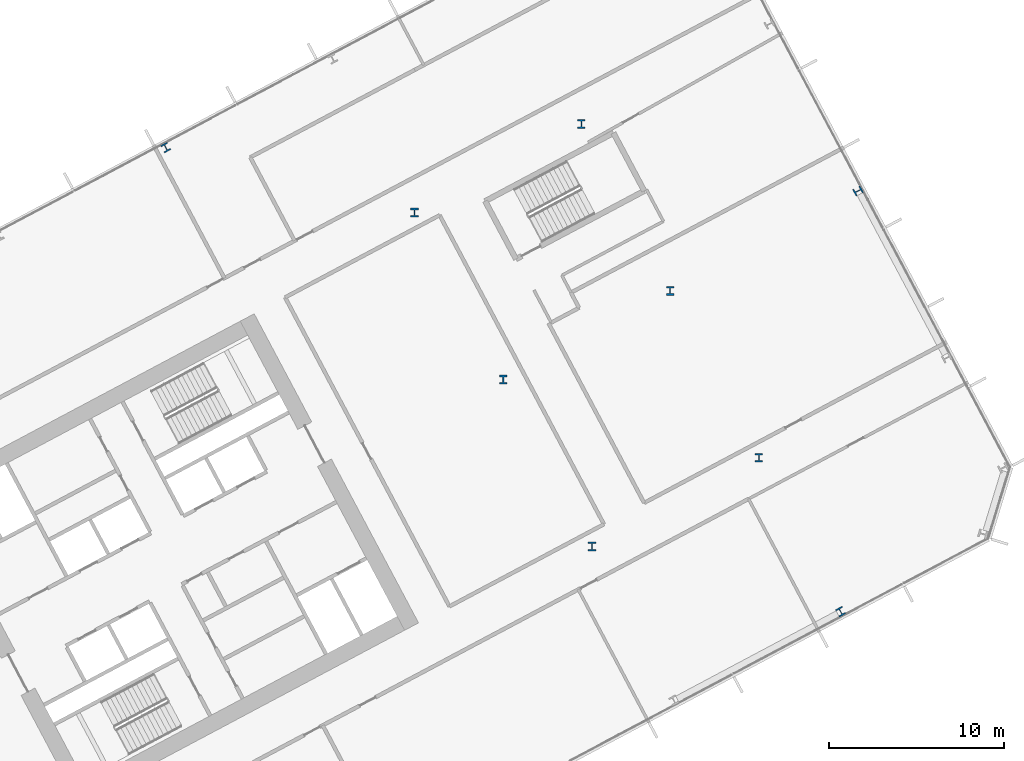
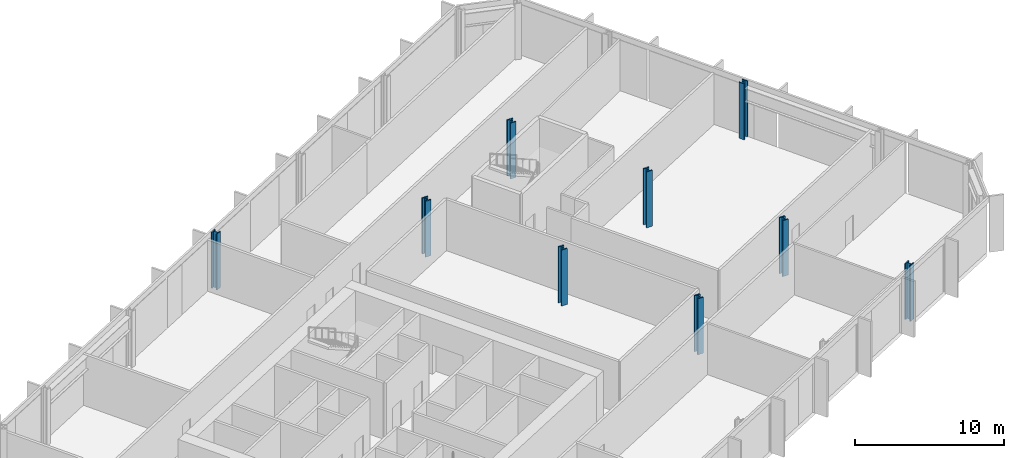
# One storey, part 4 of 31: 9 columns.
"""IFC4 building model written with IfcOpenShell, lengths in metres."""

import ifcopenshell
import ifcopenshell.guid

model = None  # the IFC model being written
_history = None  # IfcOwnerHistory: only IFC2X3 demands one
_inside = {}  # id of a spatial element -> (the spatial element, [elements in it])
_under = {}  # id of a project, library or spatial element -> (it, [spatial elements below it])
_declared = {}  # id of a project -> (the project, [libraries it declares])
_typed = {}  # id of a type object -> (the type object, [elements of that type])
_made_of = {}  # id of a material, layer set ... -> (it, [elements and type objects made of it])


def new_model(schema):
    """Start an empty IFC model of exactly this schema.

    Asked for "IFC4X3", IfcOpenShell would pick the latest addendum, in which some entities
    have other attributes; the version numbers below select the first issue.
    IFC2X3 requires an IfcOwnerHistory on every rooted entity: one is made here for all.
    """
    global model, _history
    if schema == "IFC4X3":
        model = ifcopenshell.file(schema_version=(4, 3, 0, 0))
    else:
        model = ifcopenshell.file(schema=schema)
    _inside.clear()
    _under.clear()
    _declared.clear()
    _typed.clear()
    _made_of.clear()
    _history = None
    if model.schema == "IFC2X3":
        org = make("IfcOrganization", Name="unknown")
        user = make(
            "IfcPersonAndOrganization",
            ThePerson=make("IfcPerson", FamilyName="unknown"),
            TheOrganization=org,
        )
        app = make(
            "IfcApplication",
            ApplicationDeveloper=org,
            Version="unknown",
            ApplicationFullName="unknown",
            ApplicationIdentifier="unknown",
        )
        _history = make(
            "IfcOwnerHistory",
            OwningUser=user,
            OwningApplication=app,
            ChangeAction="ADDED",
            CreationDate=0,
        )
    return model


def make(cls, **values):
    """One entity of the class cls with the attributes given. An attribute that is None is left unset."""
    return model.create_entity(
        cls, **{name: value for name, value in values.items() if value is not None}
    )


def rooted(cls, **values):
    """An entity with a GlobalId (a new one), such as an element, a storey or a relation."""
    return make(cls, GlobalId=ifcopenshell.guid.new(), OwnerHistory=_history, **values)


def si_unit(unit_type, name, prefix=None):
    """IfcSIUnit, for example si_unit("LENGTHUNIT", "METRE", prefix="MILLI")."""
    return make("IfcSIUnit", UnitType=unit_type, Prefix=prefix, Name=name)


def assignment(units):
    """IfcUnitAssignment: the units of a project."""
    return None if units is None else make("IfcUnitAssignment", Units=units)


def point(xyz):
    """IfcCartesianPoint."""
    return None if xyz is None else make("IfcCartesianPoint", Coordinates=xyz)


def direction(xyz):
    """IfcDirection."""
    return None if xyz is None else make("IfcDirection", DirectionRatios=xyz)


def frame(location, z_axis=None, x_axis=None):
    """IfcAxis2Placement3D, a coordinate frame: its origin and axes. An axis left out is left unset."""
    return make(
        "IfcAxis2Placement3D",
        Location=point(location),
        Axis=direction(z_axis),
        RefDirection=direction(x_axis),
    )


def frame_2d(location, x_axis=None):
    """IfcAxis2Placement2D, a coordinate frame in the plane: its origin and x axis."""
    return make(
        "IfcAxis2Placement2D", Location=point(location), RefDirection=direction(x_axis)
    )


def origin():
    """The frame at (0, 0, 0) with its axes left unset."""
    return frame((0.0, 0.0, 0.0))


def origin_2d():
    """The frame at (0, 0) in the plane with its x axis left unset."""
    return frame_2d((0.0, 0.0))


def place(relative_to, where):
    """IfcLocalPlacement: puts the frame where relative to a parent placement (None: the world)."""
    return make(
        "IfcLocalPlacement", PlacementRelTo=relative_to, RelativePlacement=where
    )


def context(
    kind, dimensions, precision=None, world=None, true_north=None, identifier=None
):
    """IfcGeometricRepresentationContext, for example the 3D "Model" context."""
    return make(
        "IfcGeometricRepresentationContext",
        ContextIdentifier=identifier,
        ContextType=kind,
        CoordinateSpaceDimension=dimensions,
        Precision=precision,
        WorldCoordinateSystem=world,
        TrueNorth=true_north,
    )


def subcontext(parent, identifier, kind, view, scale=None):
    """IfcGeometricRepresentationSubContext, for example "Body" below "Model"."""
    return make(
        "IfcGeometricRepresentationSubContext",
        ContextIdentifier=identifier,
        ContextType=kind,
        ParentContext=parent,
        TargetScale=scale,
        TargetView=view,
    )


def project(units=None, contexts=None):
    """IfcProject with its units and contexts."""
    return rooted(
        "IfcProject",
        Name="project",
        RepresentationContexts=contexts,
        UnitsInContext=assignment(units),
    )


def spatial(cls, under=None, at=None, **own):
    """A site, building, storey or space (cls), placed at a placement, below another one or the project."""
    s = rooted(cls, ObjectPlacement=at, **own)
    if under is not None:
        _under.setdefault(under.id(), (under, []))[1].append(s)
    return s


def profile(cls, at=None, kind="AREA", **sizes):
    """A parametric profile (cls). Its sizes go by their IFC names, for example OverallWidth=200.0."""
    return make(cls, ProfileType=kind, Position=at, **sizes)


def i_section(**sizes):
    """IfcIShapeProfileDef."""
    return profile("IfcIShapeProfileDef", **sizes)


def extrude(swept, where, along, depth):
    """IfcExtrudedAreaSolid: the profile swept, set in the frame where, extruded along a direction by depth."""
    return make(
        "IfcExtrudedAreaSolid",
        SweptArea=swept,
        Position=where,
        ExtrudedDirection=direction(along),
        Depth=depth,
    )


def shape(context_of_items, identifier, shape_type, items):
    """IfcShapeRepresentation: the items that make up one representation, for example the "Body"."""
    return make(
        "IfcShapeRepresentation",
        ContextOfItems=context_of_items,
        RepresentationIdentifier=identifier,
        RepresentationType=shape_type,
        Items=items,
    )


def material(Name=None, Category=None):
    """IfcMaterial."""
    return make("IfcMaterial", Name=Name, Category=Category)


def material_profile(
    of_material, cross_section, Name=None, Category=None, Priority=None
):
    """IfcMaterialProfile: a cross section and its material."""
    return make(
        "IfcMaterialProfile",
        Name=Name,
        Material=of_material,
        Profile=cross_section,
        Priority=Priority,
        Category=Category,
    )


def profile_set(profiles, Name=None, composite=None):
    """IfcMaterialProfileSet."""
    return make(
        "IfcMaterialProfileSet",
        Name=Name,
        MaterialProfiles=profiles,
        CompositeProfile=composite,
    )


def made_of(thing, what):
    """Note that an element or type object is made of a material, layer set ...; save() writes the relation."""
    if what is not None:
        _made_of.setdefault(what.id(), (what, []))[1].append(thing)
    return thing


def type_object(cls, material=None, **own):
    """A type object (cls), such as IfcWallType, which elements share."""
    return made_of(rooted(cls, **own), material)


def element(
    cls,
    number,
    at=None,
    inside=None,
    cuts=None,
    type_object=None,
    material=None,
    context=None,
    identifier="Body",
    shape_type=None,
    held_by="IfcProductDefinitionShape",
    body=None,
    shapes=None,
    **own,
):
    """One element of the class cls, such as IfcWall. Its Tag is "e" and its number.

    at: its placement. inside: the storey or other place that contains it. cuts: it is an
    opening in that element (IfcRelVoidsElement). A single representation is given by context,
    identifier, shape_type and body (its items); several are given by shapes. held_by: the class
    of the entity that holds the representations. save() writes the other relations.
    """
    e = rooted(cls, Tag="e%d" % number, ObjectPlacement=at, **own)
    if body is not None:
        shapes = [shape(context, identifier, shape_type, body)]
    if shapes is not None:
        e.Representation = make(held_by, Representations=shapes)
    if inside is not None:
        _inside.setdefault(inside.id(), (inside, []))[1].append(e)
    if cuts is not None:
        rooted(
            "IfcRelVoidsElement", RelatingBuildingElement=cuts, RelatedOpeningElement=e
        )
    if type_object is not None:
        _typed.setdefault(type_object.id(), (type_object, []))[1].append(e)
    return made_of(e, material)


def aggregate(whole, parts):
    """IfcRelAggregates: a whole, such as a stair, and the parts it consists of."""
    return rooted("IfcRelAggregates", RelatingObject=whole, RelatedObjects=parts)


def save(model, path):
    """Write the relations noted so far, then the file.

    IfcRelAggregates (storeys below a building ...), IfcRelContainedInSpatialStructure (elements
    in a storey), IfcRelDefinesByType, IfcRelAssociatesMaterial and IfcRelDeclares: one each for
    every whole, place, type object, material and project.
    """
    for whole, parts in _under.values():
        aggregate(whole, parts)
    for where, things in _inside.values():
        rooted(
            "IfcRelContainedInSpatialStructure",
            RelatedElements=things,
            RelatingStructure=where,
        )
    for kind, things in _typed.values():
        rooted("IfcRelDefinesByType", RelatedObjects=things, RelatingType=kind)
    for what, things in _made_of.values():
        rooted("IfcRelAssociatesMaterial", RelatedObjects=things, RelatingMaterial=what)
    for by, libraries in _declared.values():
        rooted("IfcRelDeclares", RelatingContext=by, RelatedDefinitions=libraries)
    model.write(path)


model = new_model("IFC4")

# Units and contexts
model_context = context("Model", 3, precision=1e-05, world=origin(), true_north=direction((0.0, 1.0)))
body_context = subcontext(model_context, "Body", "Model", "MODEL_VIEW")
ifc_project = project(units=[si_unit("LENGTHUNIT", "METRE"), si_unit("AREAUNIT", "SQUARE_METRE"), si_unit("VOLUMEUNIT", "CUBIC_METRE"), si_unit("PLANEANGLEUNIT", "RADIAN"), si_unit("MASSUNIT", "GRAM", prefix="KILO")], contexts=[model_context])

# Site, building, storey
site_placement = place(None, origin())
site = spatial("IfcSite", under=ifc_project, at=site_placement, CompositionType="ELEMENT")
building_placement = place(site_placement, origin())
building = spatial("IfcBuilding", under=site, at=building_placement, Name="Cormorant Relay Tower", CompositionType="ELEMENT")
storey_placement = place(building_placement, frame((0.0, 0.0, 93.800048828125)))
storey = spatial("IfcBuildingStorey", under=building, at=storey_placement, Name="L18", CompositionType="ELEMENT", Elevation=93.800048828125)

# Columns
ifc_material_1 = material(Name="Steel ASTM A992 (Fy 345 MPa)", Category="steel")
ifc_material_profile_1 = material_profile(ifc_material_1, i_section(OverallWidth=0.42431640625, OverallDepth=0.47509765625, WebThickness=0.0478515625, FlangeThickness=0.0771484375, FilletRadius=0.014892578125, at=origin_2d()), Name="W360x634")
ifc_profile_set_1 = profile_set([ifc_material_profile_1], Name="Steel ASTM A992 (Fy 345 MPa)")
column_type_1 = type_object("IfcColumnType", Name="Column W360x634", PredefinedType="COLUMN", material=ifc_profile_set_1)
for number, where, z_axis, x_axis, name in (
    (1, (62.3701171875, 9.65087890625, 0.0), (0.0, 0.0, 1.0), (0.882947592859, 0.469471562786, 0.0), "Column L18-020"),
    (2, (63.360107421875, 33.68896484375, 0.0), (0.0, 0.0, 1.0), (-0.469471562786, 0.882947592859, 0.0), "Column L18-042"),
    (3, (23.805908203125, 36.169921875, 0.0), (0.0, 0.0, 1.0), (-0.882947592859, -0.469471562786, 0.0), "Column L18-044"),
):
    element("IfcColumn", number, at=place(storey_placement, frame(where, z_axis=z_axis, x_axis=x_axis)), inside=storey, type_object=column_type_1, Name=name, PredefinedType="COLUMN", context=body_context, shape_type="SweptSolid", body=[
        extrude(i_section(OverallWidth=0.42431640625, OverallDepth=0.47509765625, WebThickness=0.0478515625, FlangeThickness=0.0771484375, FilletRadius=0.014892578125, at=origin_2d()), origin(), (0.0, 0.0, 1.0), 4.599853515625),
    ])
ifc_material_2 = material(Name="Steel ASTM A992 (Fy 345 MPa)", Category="steel")
ifc_material_profile_2 = material_profile(ifc_material_2, i_section(OverallWidth=0.43701171875, OverallDepth=0.51318359375, WebThickness=0.060546875, FlangeThickness=0.096923828125, FilletRadius=0.015380859375, at=origin_2d()), Name="W360x818")
ifc_profile_set_2 = profile_set([ifc_material_profile_2], Name="Steel ASTM A992 (Fy 345 MPa)")
column_type_2 = type_object("IfcColumnType", Name="Column W360x818", PredefinedType="COLUMN", material=ifc_profile_set_2)
for number, where, z_axis, x_axis, name in (
    (4, (48.157958984375, 13.3740234375, 0.0), (0.0, 0.0, 1.0), (1.0, 0.0, 0.0), "Column L18-025"),
    (5, (57.694091796875, 18.445068359375, 0.0), (0.0, 0.0, 1.0), (1.0, 0.0, 0.0), "Column L18-029"),
    (6, (43.087890625, 22.909912109375, 0.0), (0.0, 0.0, 1.0), (1.0, 0.0, 0.0), "Column L18-031"),
    (7, (52.6240234375, 27.98095703125, 0.0), (0.0, 0.0, 1.0), (1.0, 0.0, 0.0), "Column L18-037"),
    (8, (38.01806640625, 32.446044921875, 0.0), (0.0, 0.0, 1.0), (1.0, 0.0, 0.0), "Column L18-040"),
    (9, (47.552978515625, 37.51611328125, 0.0), (0.0, 0.0, 1.0), (1.0, 0.0, 0.0), "Column L18-045"),
):
    element("IfcColumn", number, at=place(storey_placement, frame(where, z_axis=z_axis, x_axis=x_axis)), inside=storey, type_object=column_type_2, Name=name, PredefinedType="COLUMN", context=body_context, shape_type="SweptSolid", body=[
        extrude(i_section(OverallWidth=0.43701171875, OverallDepth=0.51318359375, WebThickness=0.060546875, FlangeThickness=0.096923828125, FilletRadius=0.015380859375, at=origin_2d()), origin(), (0.0, 0.0, 1.0), 4.599853515625),
    ])

save(model, "model.ifc")
